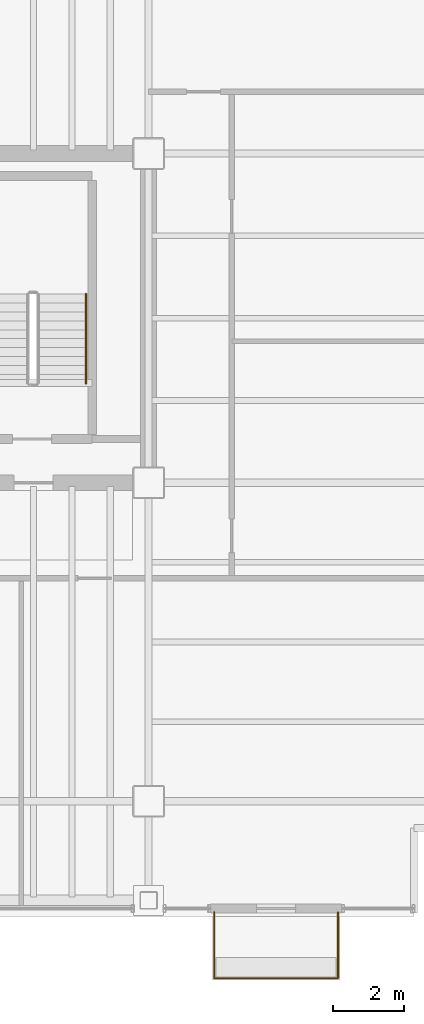
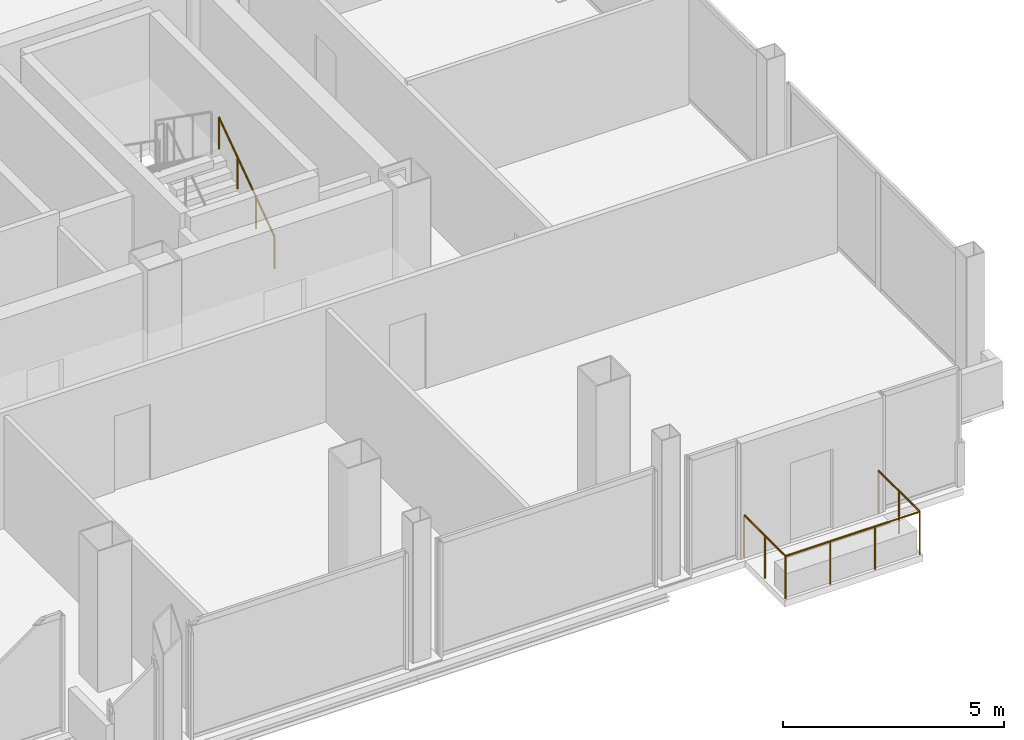
# One storey, part 16 of 16: 2 railings.
"""IFC4 building model written with IfcOpenShell, lengths in metres."""

from ifc_helpers import new_model, si_unit, direction, frame, origin, origin_2d, place, context, subcontext, project, spatial, circle, extrude, material, layer, layer_set, type_object, element, save


model = new_model("IFC4")

# Units and contexts
model_context = context("Model", 3, precision=1e-05, world=origin(), true_north=direction((0.0, 1.0)))
body_context = subcontext(model_context, "Body", "Model", "MODEL_VIEW")
ifc_project = project(units=[si_unit("LENGTHUNIT", "METRE"), si_unit("AREAUNIT", "SQUARE_METRE"), si_unit("VOLUMEUNIT", "CUBIC_METRE"), si_unit("PLANEANGLEUNIT", "RADIAN"), si_unit("MASSUNIT", "GRAM", prefix="KILO")], contexts=[model_context])

# Site, building, storey
site_placement = place(None, origin())
site = spatial("IfcSite", under=ifc_project, at=site_placement, CompositionType="ELEMENT")
building_placement = place(site_placement, origin())
building = spatial("IfcBuilding", under=site, at=building_placement, Name="Noeulbin Bourse Tower", CompositionType="ELEMENT")
storey_placement = place(building_placement, frame((0.0, 0.0, 185.10009765625)))
storey = spatial("IfcBuildingStorey", under=building, at=storey_placement, Name="L46", CompositionType="ELEMENT", Elevation=185.10009765625)

# Railings
ifc_material_1 = material(Name="Laminated SentryGlas and Stainless Steel 316", Category="steel")
ifc_layer_1 = layer(ifc_material_1, 0.06005859375)
ifc_layer_set_1 = layer_set([ifc_layer_1], Name="Laminated SentryGlas and Stainless Steel 316")
railing_type_1 = type_object("IfcRailingType", Name="RLG-BAL-1200", PredefinedType="BALUSTRADE", material=ifc_layer_set_1)
railing_1_placement = place(storey_placement, frame((45.85009765625, 16.8701171875, 0.0)))
element("IfcRailing", 1, at=railing_1_placement, inside=storey, type_object=railing_type_1, Name="Tree-Balcony Glazed Balustrade L46", PredefinedType="BALUSTRADE", context=body_context, shape_type="SweptSolid", body=[
    extrude(circle(Radius=0.02392578125, at=origin_2d()), frame((0.0, 0.0, 1.17578125), z_axis=(0.0, -1.0, 0.0), x_axis=(1.0, 0.0, 0.0)), (0.0, 0.0, 1.0), 1.8701171875),
    extrude(circle(Radius=0.02392578125, at=origin_2d()), frame((0.0, -1.8701171875, 1.17578125), z_axis=(1.0, 0.0, 0.0), x_axis=(0.0, 1.0, 0.0)), (0.0, 0.0, 1.0), 3.5),
    extrude(circle(Radius=0.02392578125, at=origin_2d()), frame((3.5, -1.8701171875, 1.17578125), z_axis=(0.0, 1.0, 0.0), x_axis=(-1.0, 0.0, 0.0)), (0.0, 0.0, 1.0), 1.8701171875),
    extrude(circle(Radius=0.02099609375, at=origin_2d()), origin(), (0.0, 0.0, 1.0), 1.15185546875),
    extrude(circle(Radius=0.02099609375, at=origin_2d()), frame((0.0, -0.93505859375, 0.0)), (0.0, 0.0, 1.0), 1.15185546875),
    extrude(circle(Radius=0.02099609375, at=origin_2d()), frame((0.0, -1.8701171875, 0.0)), (0.0, 0.0, 1.0), 1.15185546875),
    extrude(circle(Radius=0.02099609375, at=origin_2d()), frame((1.166748046875, -1.8701171875, 0.0)), (0.0, 0.0, 1.0), 1.15185546875),
    extrude(circle(Radius=0.02099609375, at=origin_2d()), frame((2.333251953125, -1.8701171875, 0.0)), (0.0, 0.0, 1.0), 1.15185546875),
    extrude(circle(Radius=0.02099609375, at=origin_2d()), frame((3.5, -1.8701171875, 0.0)), (0.0, 0.0, 1.0), 1.15185546875),
    extrude(circle(Radius=0.02099609375, at=origin_2d()), frame((3.5, -0.93505859375, 0.0)), (0.0, 0.0, 1.0), 1.15185546875),
    extrude(circle(Radius=0.02099609375, at=origin_2d()), frame((3.5, 0.0, 0.0)), (0.0, 0.0, 1.0), 1.15185546875),
])
ifc_material_2 = material(Name="Brushed Stainless Steel 316", Category="steel")
ifc_layer_2 = layer(ifc_material_2, 0.048095703125)
ifc_layer_set_2 = layer_set([ifc_layer_2], Name="Brushed Stainless Steel 316")
railing_type_2 = type_object("IfcRailingType", Name="RLG-STR-HND", PredefinedType="HANDRAIL", material=ifc_layer_set_2)
railing_2_placement = place(storey_placement, frame((42.22998046875, 31.81005859375, 0.17724609375)))
element("IfcRailing", 2, at=railing_2_placement, inside=storey, type_object=railing_type_2, Name="L46 ST-2 stair handrail 1", PredefinedType="HANDRAIL", context=body_context, shape_type="SweptSolid", body=[
    extrude(circle(Radius=0.02392578125, at=origin_2d()), frame((0.0, 0.0, 0.8759765625), z_axis=(0.0, 0.817904474719, 0.575354039036), x_axis=(-1.0, 0.0, 0.0)), (0.0, 0.0, 1.0), 3.0810546875),
    extrude(circle(Radius=0.02099609375, at=origin_2d()), origin(), (0.0, 0.0, 1.0), 0.851806640625),
    extrude(circle(Radius=0.02099609375, at=origin_2d()), frame((0.0, 0.840087890625, 0.5908203125)), (0.0, 0.0, 1.0), 0.851806640625),
    extrude(circle(Radius=0.02099609375, at=origin_2d()), frame((0.0, 1.679931640625, 1.181884765625)), (0.0, 0.0, 1.0), 0.851806640625),
    extrude(circle(Radius=0.02099609375, at=origin_2d()), frame((0.0, 2.52001953125, 1.772705078125)), (0.0, 0.0, 1.0), 0.851806640625),
])

save(model, "model.ifc")
